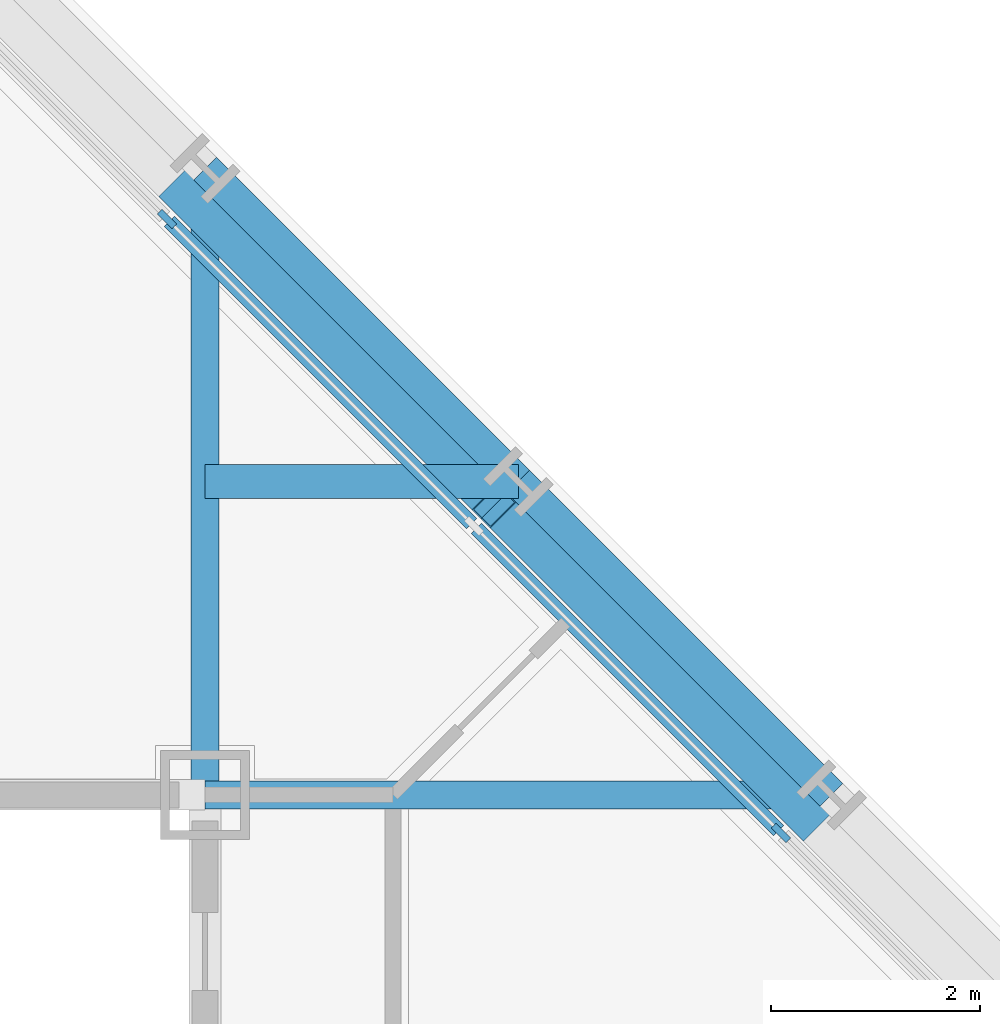
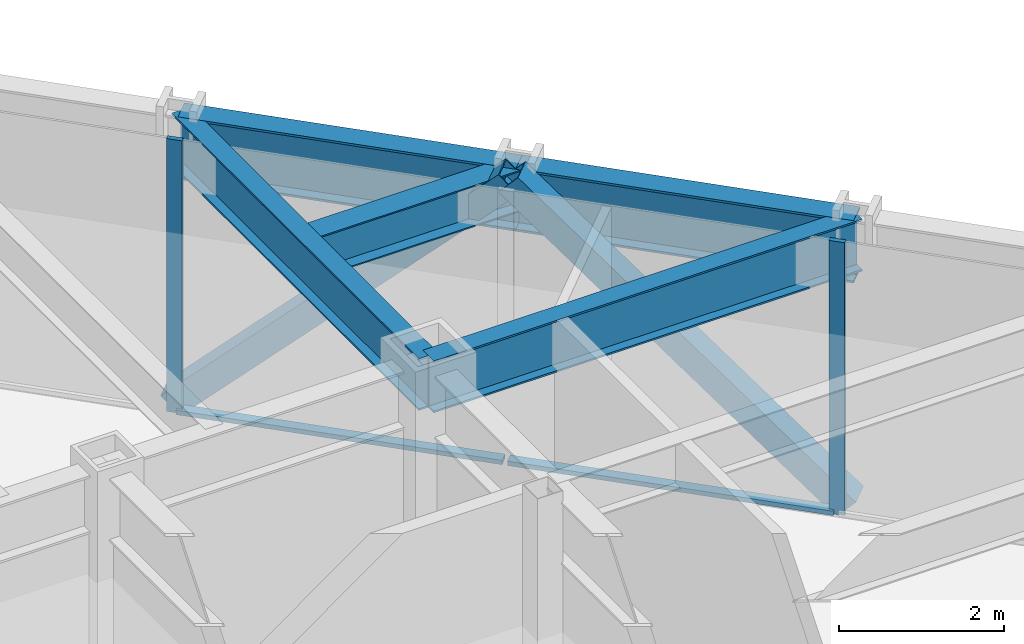
# One storey, part 9 of 16: 6 members, 5 beams, 1 element without a shape of its own.
"""IFC4 building model written with IfcOpenShell, lengths in metres."""

from ifc_helpers import new_model, si_unit, direction, frame, origin, origin_2d, place, context, subcontext, project, spatial, rectangle, hollow_rectangle, i_section, extrude, material, layer, layer_set, material_profile, profile_set, type_object, element, aggregate, save


model = new_model("IFC4")

# Units and contexts
model_context = context("Model", 3, precision=1e-05, world=origin(), true_north=direction((0.0, 1.0)))
body_context = subcontext(model_context, "Body", "Model", "MODEL_VIEW")
ifc_project = project(units=[si_unit("LENGTHUNIT", "METRE"), si_unit("AREAUNIT", "SQUARE_METRE"), si_unit("VOLUMEUNIT", "CUBIC_METRE"), si_unit("PLANEANGLEUNIT", "RADIAN"), si_unit("MASSUNIT", "GRAM", prefix="KILO")], contexts=[model_context])

# Site, building, storey
site_placement = place(None, origin())
site = spatial("IfcSite", under=ifc_project, at=site_placement, CompositionType="ELEMENT")
building_placement = place(site_placement, origin())
building = spatial("IfcBuilding", under=site, at=building_placement, Name="Chuquiago Exchange Tower", CompositionType="ELEMENT")
storey_placement = place(building_placement, frame((0.0, 0.0, 209.699951171875)))
storey = spatial("IfcBuildingStorey", under=building, at=storey_placement, Name="L46", CompositionType="ELEMENT", Elevation=209.699951171875)

# Beam
ifc_material_1 = material(Name="Steel ASTM A992", Category="steel")
ifc_material_profile_1 = material_profile(ifc_material_1, i_section(OverallWidth=0.3251953125, OverallDepth=0.612060546875, WebThickness=0.0126953125, FlangeThickness=0.01904296875, at=origin_2d()), Name="W24X104")
ifc_profile_set_1 = profile_set([ifc_material_profile_1], Name="Steel ASTM A992")
beam_type_1 = type_object("IfcBeamType", Name="B2 W24X104", PredefinedType="BEAM", material=ifc_profile_set_1)
beam_placement = place(storey_placement, frame((33.0, 36.0, 3.73388671875), z_axis=(1.0, 0.0, 0.0), x_axis=(0.0, 1.0, 0.0)))
element("IfcBeam", 1, at=beam_placement, inside=storey, type_object=beam_type_1, Name="FB-L47-corner-33_36-36_36-0", PredefinedType="BEAM", context=body_context, shape_type="SweptSolid", body=[
    extrude(i_section(OverallWidth=0.3251953125, OverallDepth=0.612060546875, WebThickness=0.0126953125, FlangeThickness=0.01904296875, at=origin_2d()), origin(), (0.0, 0.0, 1.0), 3.0),
])

# Curtain wall, members
ifc_material_2 = material(Name="Aluminium curtain wall system", Category="aluminium")
ifc_layer = layer(ifc_material_2, 0.199951171875)
ifc_layer_set = layer_set([ifc_layer], Name="CW3 facet curtain wall")
curtain_wall_type = type_object("IfcCurtainWallType", Name="CW3 facet curtain wall", PredefinedType="NOTDEFINED", material=ifc_layer_set)
curtain_wall_placement = place(storey_placement, origin())
curtain_wall = element("IfcCurtainWall", 2, at=curtain_wall_placement, inside=storey, type_object=curtain_wall_type, Name="CW3 curtain wall L46", PredefinedType="NOTDEFINED")
ifc_material_3 = material(Name="Aluminium mullion, pale anodised", Category="aluminium")
ifc_material_profile_2 = material_profile(ifc_material_3, rectangle(XDim=0.06494140625, YDim=0.199951171875, at=origin_2d()), Name="AL 65x200")
ifc_profile_set_2 = profile_set([ifc_material_profile_2], Name="Aluminium mullion, pale anodised")
member_type_1 = type_object("IfcMemberType", Name="CW3-M mullion 65x200", PredefinedType="MULLION", material=ifc_profile_set_2)
member_1_placement = place(storey_placement, frame((38.51708984375, 32.63427734375, 0.0), z_axis=(0.0, 0.0, 1.0), x_axis=(-0.707106781187, -0.707106781187, 0.0)))
member_1 = element("IfcMember", 3, at=member_1_placement, type_object=member_type_1, Name="CW3 mullion 3", PredefinedType="MULLION", context=body_context, shape_type="SweptSolid", body=[
    extrude(rectangle(XDim=0.06494140625, YDim=0.199951171875, at=origin_2d()), origin(), (0.0, 0.0, 1.0), 4.0400390625),
])
member_2_placement = place(storey_placement, frame((32.63427734375, 38.51708984375, 0.0), z_axis=(0.0, 0.0, 1.0), x_axis=(-0.707106781187, -0.707106781187, 0.0)))
member_2 = element("IfcMember", 4, at=member_2_placement, type_object=member_type_1, Name="CW3 mullion 5", PredefinedType="MULLION", context=body_context, shape_type="SweptSolid", body=[
    extrude(rectangle(XDim=0.06494140625, YDim=0.199951171875, at=origin_2d()), origin(), (0.0, 0.0, 1.0), 4.0400390625),
])
ifc_material_4 = material(Name="Aluminium transom, pale anodised", Category="aluminium")
ifc_material_profile_3 = material_profile(ifc_material_4, rectangle(XDim=0.139892578125, YDim=0.06494140625, at=origin_2d()), Name="AL 140x65")
ifc_profile_set_3 = profile_set([ifc_material_profile_3], Name="Aluminium transom, pale anodised")
member_type_2 = type_object("IfcMemberType", Name="CW3-T transom 65x140", PredefinedType="MULLION", material=ifc_profile_set_3)
member_3_placement = place(storey_placement, frame((38.494140625, 32.6572265625, 0.032470703125), z_axis=(-0.707106781187, 0.707106781187, 0.0), x_axis=(-0.707106781187, -0.707106781187, 0.0)))
member_3 = element("IfcMember", 5, at=member_3_placement, type_object=member_type_2, Name="CW3 transom 3.1", PredefinedType="MULLION", context=body_context, shape_type="SweptSolid", body=[
    extrude(rectangle(XDim=0.139892578125, YDim=0.06494140625, at=origin_2d()), origin(), (0.0, 0.0, 1.0), 4.094970703125),
])
member_4_placement = place(storey_placement, frame((35.552734375, 35.5986328125, 0.032470703125), z_axis=(-0.707106781187, 0.707106781187, 0.0), x_axis=(-0.707106781187, -0.707106781187, 0.0)))
member_4 = element("IfcMember", 6, at=member_4_placement, type_object=member_type_2, Name="CW3 transom 4.1", PredefinedType="MULLION", context=body_context, shape_type="SweptSolid", body=[
    extrude(rectangle(XDim=0.139892578125, YDim=0.06494140625, at=origin_2d()), origin(), (0.0, 0.0, 1.0), 4.094970703125),
])
aggregate(curtain_wall, [member_1, member_2, member_3, member_4])

# Beams
ifc_material_5 = material(Name="Steel ASTM A992", Category="steel")
ifc_material_profile_4 = material_profile(ifc_material_5, i_section(OverallWidth=0.2666015625, OverallDepth=0.76953125, WebThickness=0.015625, FlangeThickness=0.025390625, at=origin_2d()), Name="W30X132")
ifc_profile_set_4 = profile_set([ifc_material_profile_4], Name="Steel ASTM A992")
beam_type_2 = type_object("IfcBeamType", Name="G1 W30X132", PredefinedType="BEAM", material=ifc_profile_set_4)
for number, where, z_axis, x_axis, name in (
    (7, (33.0, 33.0, 3.6552734375), (0.0, 1.0, 0.0), (-1.0, 0.0, 0.0), "FB-L47-girder-33_33-33_39-0"),
    (8, (33.0, 33.0, 3.6552734375), (1.0, 0.0, 0.0), (0.0, 1.0, 0.0), "FB-L47-girder-33_33-39_33-0"),
):
    element("IfcBeam", number, at=place(storey_placement, frame(where, z_axis=z_axis, x_axis=x_axis)), inside=storey, type_object=beam_type_2, Name=name, PredefinedType="BEAM", context=body_context, shape_type="SweptSolid", body=[
        extrude(i_section(OverallWidth=0.2666015625, OverallDepth=0.76953125, WebThickness=0.015625, FlangeThickness=0.025390625, at=origin_2d()), origin(), (0.0, 0.0, 1.0), 6.0),
    ])

# Members
ifc_material_6 = material(Name="Steel ASTM A500 Grade C", Category="steel")
ifc_material_profile_5 = material_profile(ifc_material_6, hollow_rectangle(XDim=0.355712890625, YDim=0.355712890625, WallThickness=0.0146484375, at=origin_2d()), Name="HSS14X14X5/8")
ifc_profile_set_5 = profile_set([ifc_material_profile_5], Name="Steel ASTM A500 Grade C")
member_type_3 = type_object("IfcMemberType", Name="LB2 HSS14X14X5/8", PredefinedType="BRACE", material=ifc_profile_set_5)
for number, where, z_axis, x_axis, name in (
    (9, (38.7685546875, 32.7685546875, 0.0), (-0.512077265487, 0.512077265487, 0.689604051861), (-0.707106781187, -0.707106781187, 0.0), "LB-L46-39_33-36_36"),
    (10, (32.7685546875, 38.7685546875, 0.0), (0.512077265487, -0.512077265487, 0.689604051861), (0.707106781187, 0.707106781187, 0.0), "LB-L46-36_36-33_39"),
):
    element("IfcMember", number, at=place(storey_placement, frame(where, z_axis=z_axis, x_axis=x_axis)), inside=storey, type_object=member_type_3, Name=name, PredefinedType="BRACE", context=body_context, shape_type="SweptSolid", body=[
        extrude(hollow_rectangle(XDim=0.355712890625, YDim=0.355712890625, WallThickness=0.0146484375, at=origin_2d()), origin(), (0.0, 0.0, 1.0), 5.8583984375),
    ])

# Beams
ifc_material_7 = material(Name="Steel ASTM A992", Category="steel")
ifc_material_profile_6 = material_profile(ifc_material_7, i_section(OverallWidth=0.307373046875, OverallDepth=0.927001953125, WebThickness=0.01953125, FlangeThickness=0.031982421875, at=origin_2d()), Name="W36X194")
ifc_profile_set_6 = profile_set([ifc_material_profile_6], Name="Steel ASTM A992")
beam_type_3 = type_object("IfcBeamType", Name="SP3 W36X194", PredefinedType="SPANDREL", material=ifc_profile_set_6)
for number, where, z_axis, x_axis, name in (
    (11, (39.0, 33.0, 3.57666015625), (-0.707106781187, 0.707106781187, 0.0), (-0.707106781187, -0.707106781187, 0.0), "SPB-L47-39_33-36_36"),
    (12, (36.0, 36.0, 3.57666015625), (-0.707106781187, 0.707106781187, 0.0), (-0.707106781187, -0.707106781187, 0.0), "SPB-L47-36_36-33_39"),
):
    element("IfcBeam", number, at=place(storey_placement, frame(where, z_axis=z_axis, x_axis=x_axis)), inside=storey, type_object=beam_type_3, Name=name, PredefinedType="SPANDREL", context=body_context, shape_type="SweptSolid", body=[
        extrude(i_section(OverallWidth=0.307373046875, OverallDepth=0.927001953125, WebThickness=0.01953125, FlangeThickness=0.031982421875, at=origin_2d()), origin(), (0.0, 0.0, 1.0), 4.24267578125),
    ])

save(model, "model.ifc")
